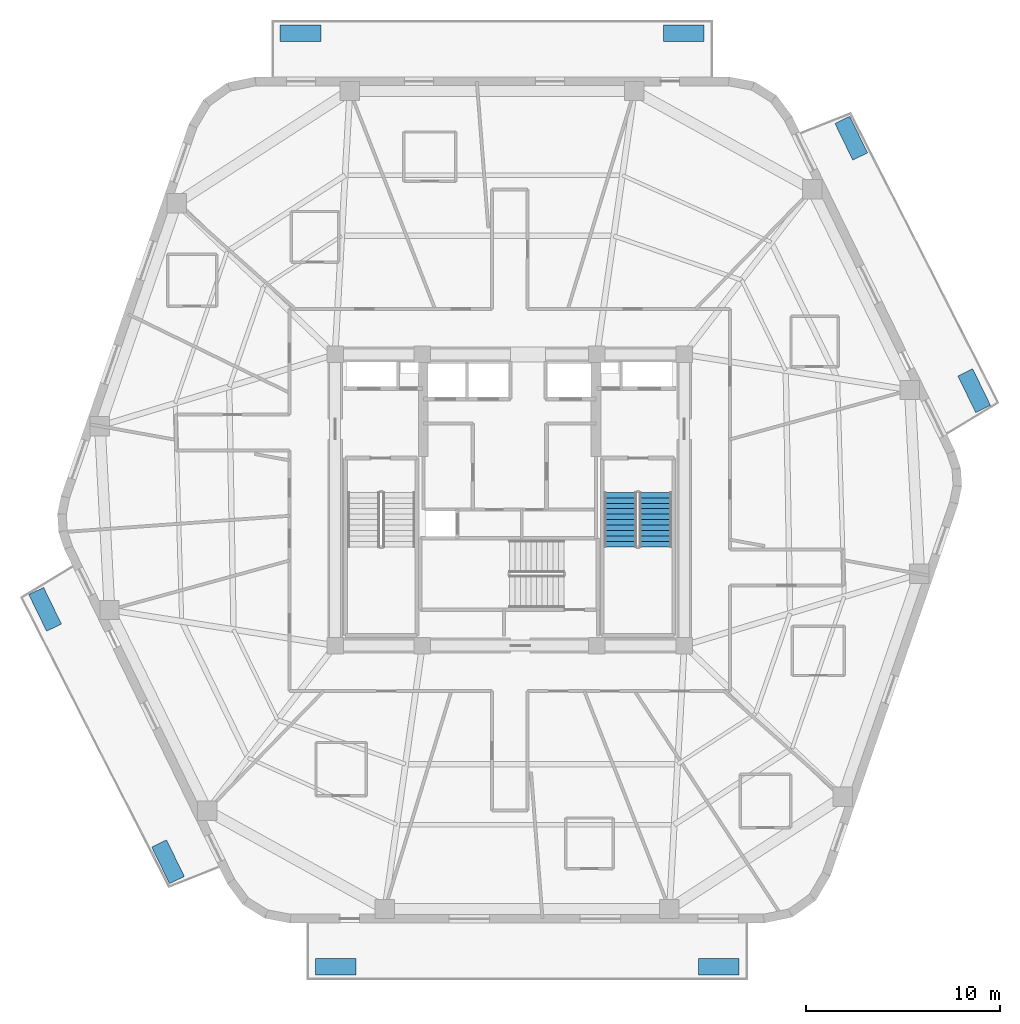
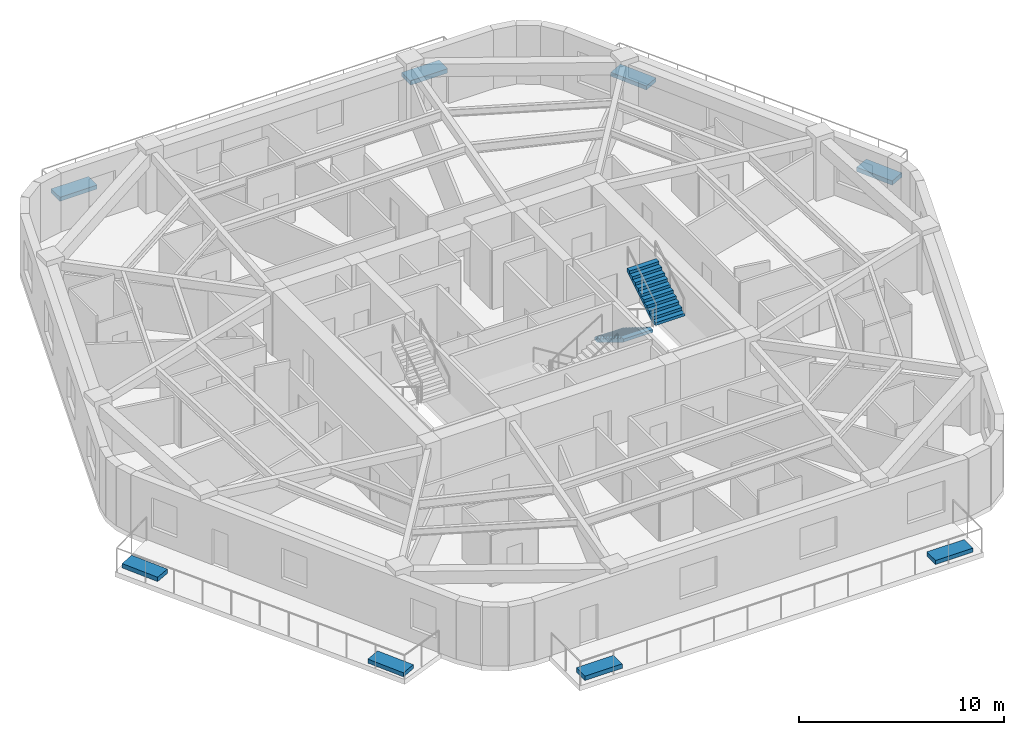
# One storey, part 7 of 10: 8 discrete accessories, 2 stair flights, 1 element without a shape of its own.
"""IFC4 building model written with IfcOpenShell, lengths in metres."""

from ifc_helpers import new_model, si_unit, direction, frame, origin, origin_2d, place, context, subcontext, project, spatial, polyline, rectangle, outline, extrude, material, type_object, element, aggregate, save


model = new_model("IFC4")

# Units and contexts
model_context = context("Model", 3, precision=1e-05, world=origin(), true_north=direction((0.0, 1.0)))
body_context = subcontext(model_context, "Body", "Model", "MODEL_VIEW")
ifc_project = project(units=[si_unit("LENGTHUNIT", "METRE"), si_unit("AREAUNIT", "SQUARE_METRE"), si_unit("VOLUMEUNIT", "CUBIC_METRE"), si_unit("PLANEANGLEUNIT", "RADIAN"), si_unit("MASSUNIT", "GRAM", prefix="KILO")], contexts=[model_context])

# Site, building, storey
site_placement = place(None, origin())
site = spatial("IfcSite", under=ifc_project, at=site_placement, CompositionType="ELEMENT")
building_placement = place(site_placement, origin())
building = spatial("IfcBuilding", under=site, at=building_placement, Name="Kilnhurst Terrace Hotel", CompositionType="ELEMENT")
storey_placement = place(building_placement, frame((0.0, 0.0, 217.89990234375)))
storey = spatial("IfcBuildingStorey", under=building, at=storey_placement, Name="L54", CompositionType="ELEMENT", Elevation=217.89990234375)

# Stair, stair flights
ifc_material_1 = material(Name="Concrete C50/60", Category="concrete")
stair_type = type_object("IfcStairType", Name="STR-CORE-1660", PredefinedType="HALF_TURN_STAIR", material=ifc_material_1)
stair_placement = place(storey_placement, origin())
stair = element("IfcStair", 1, at=stair_placement, inside=storey, type_object=stair_type, Name="L54 ST-2", PredefinedType="HALF_TURN_STAIR")
stair_flight_type = type_object("IfcStairFlightType", Name="FLT-RC-1660", PredefinedType="STRAIGHT", material=ifc_material_1)
stair_flight_1_placement = place(storey_placement, frame((5.7099609375, 0.389892578125, 0.0), z_axis=(0.0, 0.0, 1.0), x_axis=(0.0, -1.0, 0.0)))
stair_flight_1 = element("IfcStairFlight", 2, at=stair_flight_1_placement, type_object=stair_flight_type, Name="ST-2 flight 1", NumberOfRisers=11, NumberOfTreads=10, PredefinedType="STRAIGHT", RiserHeight=0.172727273, TreadLength=0.28, context=body_context, shape_type="SweptSolid", body=[
    extrude(outline(polyline([(0.0, 0.0), (0.0, 0.172607421875), (0.280029296875, 0.172607421875), (0.280029296875, 0.345458984375), (0.56005859375, 0.345458984375), (0.56005859375, 0.51806640625), (0.840087890625, 0.51806640625), (0.840087890625, 0.69091796875), (1.1201171875, 0.69091796875), (1.1201171875, 0.863525390625), (1.39990234375, 0.863525390625), (1.39990234375, 1.036376953125), (1.679931640625, 1.036376953125), (1.679931640625, 1.208984375), (1.9599609375, 1.208984375), (1.9599609375, 1.3818359375), (2.239990234375, 1.3818359375), (2.239990234375, 1.554443359375), (2.52001953125, 1.554443359375), (2.52001953125, 1.727294921875), (2.800048828125, 1.727294921875), (2.800048828125, 1.89990234375), (2.800048828125, 1.551025390625), (0.285400390625, 0.0), (0.0, 0.0)])), frame((0.0, 0.830078125, 0.0), z_axis=(0.0, -1.0, 0.0), x_axis=(1.0, 0.0, 0.0)), (0.0, 0.0, 1.0), 1.659912109375),
])
stair_flight_2_placement = place(storey_placement, frame((7.52001953125, -2.409912109375, 1.900146484375), z_axis=(0.0, 0.0, 1.0), x_axis=(0.0, 1.0, 0.0)))
stair_flight_2 = element("IfcStairFlight", 3, at=stair_flight_2_placement, type_object=stair_flight_type, Name="ST-2 flight 2", NumberOfRisers=11, NumberOfTreads=10, PredefinedType="STRAIGHT", RiserHeight=0.172727273, TreadLength=0.28, context=body_context, shape_type="SweptSolid", body=[
    extrude(outline(polyline([(0.0, 0.0), (0.0, 0.172607421875), (0.280029296875, 0.172607421875), (0.280029296875, 0.345458984375), (0.56005859375, 0.345458984375), (0.56005859375, 0.51806640625), (0.840087890625, 0.51806640625), (0.840087890625, 0.69091796875), (1.1201171875, 0.69091796875), (1.1201171875, 0.863525390625), (1.39990234375, 0.863525390625), (1.39990234375, 1.036376953125), (1.679931640625, 1.036376953125), (1.679931640625, 1.208984375), (1.9599609375, 1.208984375), (1.9599609375, 1.3818359375), (2.239990234375, 1.3818359375), (2.239990234375, 1.554443359375), (2.52001953125, 1.554443359375), (2.52001953125, 1.727294921875), (2.800048828125, 1.727294921875), (2.800048828125, 1.89990234375), (2.800048828125, 1.551025390625), (0.285400390625, 0.0), (0.0, 0.0)])), frame((0.0, 0.830078125, 0.0), z_axis=(0.0, -1.0, 0.0), x_axis=(1.0, 0.0, 0.0)), (0.0, 0.0, 1.0), 1.659912109375),
])
aggregate(stair, [stair_flight_1, stair_flight_2])

# Discrete accessories
ifc_material_2 = material(Name="Precast Concrete C40/50 Shrub Planter", Category="concrete")
discrete_accessory_type_1 = type_object("IfcDiscreteAccessoryType", Name="PLN-SHRUB-240", PredefinedType="USERDEFINED", material=ifc_material_2)
for number, where, z_axis, x_axis, name in (
    (4, (17.607177734375, 18.64794921875, 0.0), (0.0, 0.0, 1.0), (-0.437743563395, 0.899099868038, 0.0), "L54 Structural Tree Planter Box PLANTER BAL-L1A.2"),
    (5, (-10.77490234375, 24.050048828125, 0.0), (0.0, 0.0, 1.0), (-1.0, 0.0, 0.0), "L54 Structural Tree Planter Box PLANTER BAL-L1B.2"),
    (6, (-17.607177734375, -18.64794921875, 0.0), (0.0, 0.0, 1.0), (0.437743563395, -0.899099868038, 0.0), "L54 Structural Tree Planter Box PLANTER BAL-L2A.2"),
    (7, (10.77490234375, -24.050048828125, 0.0), (0.0, 0.0, 1.0), (1.0, 0.0, 0.0), "L54 Structural Tree Planter Box PLANTER BAL-L2B.2"),
):
    element("IfcDiscreteAccessory", number, at=place(storey_placement, frame(where, z_axis=z_axis, x_axis=x_axis)), inside=storey, type_object=discrete_accessory_type_1, Name=name, ObjectType="PLANTER", PredefinedType="USERDEFINED", context=body_context, shape_type="SweptSolid", body=[
        extrude(rectangle(XDim=2.10009765625, YDim=0.85009765625, at=origin_2d()), origin(), (0.0, 0.0, 1.0), 0.239990234375),
    ])
ifc_material_3 = material(Name="Precast Concrete C40/50 Tree Planter", Category="concrete")
discrete_accessory_type_2 = type_object("IfcDiscreteAccessoryType", Name="PLN-TREE-260", PredefinedType="USERDEFINED", material=ifc_material_3)
for number, where, z_axis, x_axis, name in (
    (8, (23.942626953125, 5.635009765625, 0.0), (0.0, 0.0, 1.0), (-0.437743563395, 0.899099868038, 0.0), "L54 Structural Tree Planter Box PLANTER BAL-L1A.1"),
    (9, (8.96875, 24.050048828125, 0.0), (0.0, 0.0, 1.0), (-1.0, 0.0, 0.0), "L54 Structural Tree Planter Box PLANTER BAL-L1B.1"),
    (10, (-23.942626953125, -5.635009765625, 0.0), (0.0, 0.0, 1.0), (0.437743563395, -0.899099868038, 0.0), "L54 Structural Tree Planter Box PLANTER BAL-L2A.1"),
    (11, (-8.96875, -24.050048828125, 0.0), (0.0, 0.0, 1.0), (1.0, 0.0, 0.0), "L54 Structural Tree Planter Box PLANTER BAL-L2B.1"),
):
    element("IfcDiscreteAccessory", number, at=place(storey_placement, frame(where, z_axis=z_axis, x_axis=x_axis)), inside=storey, type_object=discrete_accessory_type_2, Name=name, ObjectType="PLANTER", PredefinedType="USERDEFINED", context=body_context, shape_type="SweptSolid", body=[
        extrude(rectangle(XDim=2.10009765625, YDim=0.85009765625, at=origin_2d()), origin(), (0.0, 0.0, 1.0), 0.260009765625),
    ])

save(model, "model.ifc")
